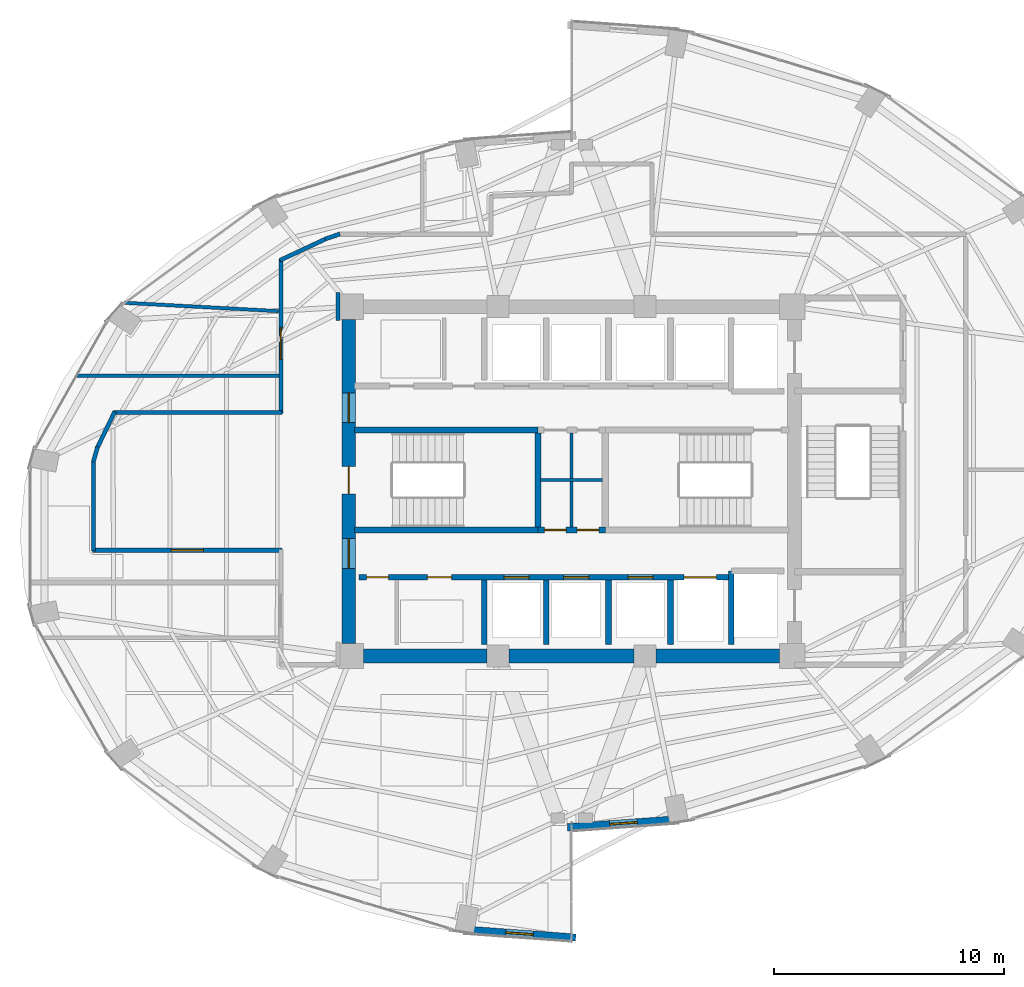
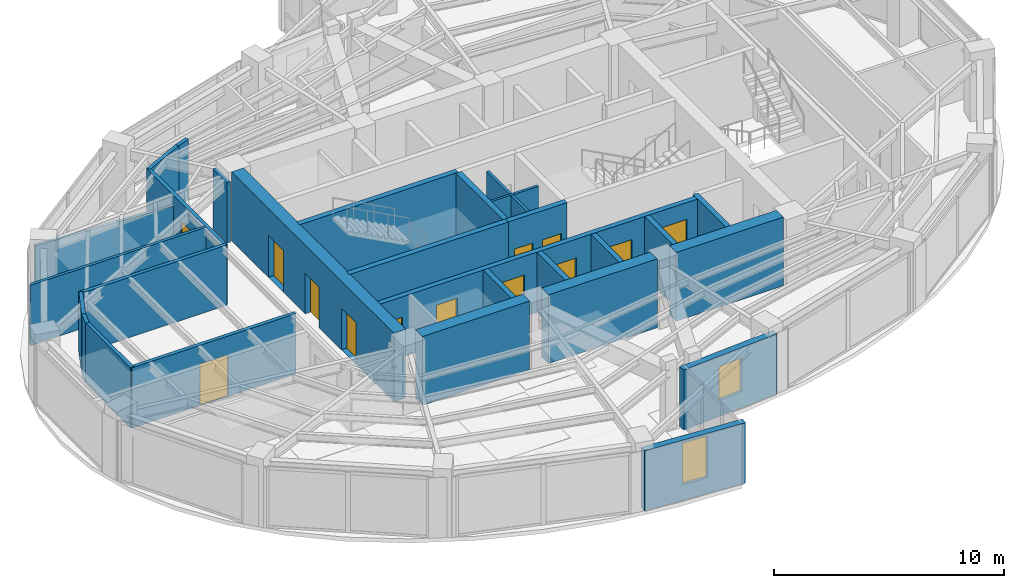
# One storey, part 16 of 20: 29 walls, 13 doors, 2 windows, 15 openings.
"""IFC4 building model written with IfcOpenShell, lengths in metres."""

from ifc_helpers import new_model, si_unit, direction, frame, frame_2d, origin, place, context, subcontext, project, spatial, rectangle, extrude, material, layer, layer_set, type_object, element, fill, save


model = new_model("IFC4")

# Units and contexts
model_context = context("Model", 3, precision=1e-05, world=origin(), true_north=direction((0.0, 1.0)))
body_context = subcontext(model_context, "Body", "Model", "MODEL_VIEW")
ifc_project = project(units=[si_unit("LENGTHUNIT", "METRE"), si_unit("AREAUNIT", "SQUARE_METRE"), si_unit("VOLUMEUNIT", "CUBIC_METRE"), si_unit("PLANEANGLEUNIT", "RADIAN"), si_unit("MASSUNIT", "GRAM", prefix="KILO")], contexts=[model_context])

# Site, building, storey
site_placement = place(None, origin())
site = spatial("IfcSite", under=ifc_project, at=site_placement, CompositionType="ELEMENT")
building_placement = place(site_placement, origin())
building = spatial("IfcBuilding", under=site, at=building_placement, Name="Lazwardi Medical Tower", CompositionType="ELEMENT")
storey_placement = place(building_placement, frame((0.0, 0.0, 185.7119140625)))
storey = spatial("IfcBuildingStorey", under=building, at=storey_placement, Name="L48", CompositionType="ELEMENT", Elevation=185.7119140625)

# Walls
ifc_material_1 = material(Name="Fire-rated gypsum board on steel stud", Category="steel")
ifc_layer_1 = layer(ifc_material_1, 0.179931640625)
ifc_layer_set_1 = layer_set([ifc_layer_1], Name="Fire-rated gypsum board on steel stud")
wall_type_1 = type_object("IfcWallType", Name="WL-COR-180", PredefinedType="PARTITIONING", material=ifc_layer_set_1)
wall_1_placement = place(storey_placement, frame((15.350341796875, 29.435791015625, 0.0), z_axis=(0.0, 0.0, 1.0), x_axis=(0.436196025907, 0.899851669434, 0.0)))
element("IfcWall", 1, at=wall_1_placement, inside=storey, type_object=wall_type_1, Name="L48 Corridor partition 1", PredefinedType="PARTITIONING", context=body_context, shape_type="SweptSolid", body=[
    extrude(rectangle(XDim=1.778076171875, YDim=0.179931640625, at=frame_2d((0.88916015625, 0.0))), origin(), (0.0, 0.0, 1.0), 3.197998046875),
])
wall_2_placement = place(storey_placement, frame((16.068359375, 31.0, 0.0), z_axis=(0.0, 0.0, 1.0), x_axis=(1.0, 0.0, 0.0)))
element("IfcWall", 2, at=wall_2_placement, inside=storey, type_object=wall_type_1, Name="L48 Corridor partition 2", PredefinedType="PARTITIONING", context=body_context, shape_type="SweptSolid", body=[
    extrude(rectangle(XDim=7.321533203125, YDim=0.179931640625, at=frame_2d((3.66064453125, 0.0))), origin(), (0.0, 0.0, 1.0), 3.197998046875),
])

# Wall, opening, door
wall_3_placement = place(storey_placement, frame((23.35009765625, 30.9599609375, 0.0), z_axis=(0.0, 0.0, 1.0), x_axis=(0.0, 1.0, 0.0)))
wall_3 = element("IfcWall", 3, at=wall_3_placement, inside=storey, type_object=wall_type_1, Name="L48 Corridor partition 3", PredefinedType="PARTITIONING", context=body_context, shape_type="SweptSolid", body=[
    extrude(rectangle(XDim=6.7138671875, YDim=0.179931640625, at=frame_2d((3.35693359375, 0.0))), origin(), (0.0, 0.0, 1.0), 3.197998046875),
])
opening_1_placement = place(wall_3_placement, frame((2.34228515625, 0.0, 0.0)))
opening_1 = element("IfcOpeningElement", 4, at=opening_1_placement, cuts=wall_3, Name="Opening D-L48-017", PredefinedType="OPENING", context=body_context, shape_type="SweptSolid", body=[
    extrude(rectangle(XDim=1.39990234375, YDim=2.199951171875, at=frame_2d((0.699951171875, 1.10009765625))), frame((0.0, 0.099853515625, 0.0), z_axis=(0.0, -1.0, 0.0), x_axis=(1.0, 0.0, 0.0)), (0.0, 0.0, 1.0), 0.199951171875),
])
ifc_material_2 = material(Name="Anti-microbial laminate hospital leaf")
door_type_1 = type_object("IfcDoorType", Name="DR-BED-1400", OperationType="NOTDEFINED", PredefinedType="DOOR", material=ifc_material_2)
door_1_placement = place(opening_1_placement, origin())
door_1 = element("IfcDoor", 5, at=door_1_placement, inside=storey, type_object=door_type_1, Name="L48 Department Reception Foyer Door 05", OperationType="SINGLE_SWING_LEFT", OverallHeight=2.199951171875, OverallWidth=1.39990234375, PredefinedType="DOOR", context=body_context, shape_type="SweptSolid", body=[
    extrude(rectangle(XDim=1.39990234375, YDim=2.199951171875, at=frame_2d((0.699951171875, 1.10009765625))), frame((0.0, 0.02490234375, 0.0), z_axis=(0.0, -1.0, 0.0), x_axis=(1.0, 0.0, 0.0)), (0.0, 0.0, 1.0), 0.050048828125),
])
fill(opening_1, door_1)

# Walls
wall_4_placement = place(storey_placement, frame((23.313720703125, 37.616943359375, 0.0), z_axis=(0.0, 0.0, 1.0), x_axis=(0.905731790856, 0.423851298255, 0.0)))
element("IfcWall", 6, at=wall_4_placement, inside=storey, type_object=wall_type_1, Name="L48 Corridor partition 4", PredefinedType="PARTITIONING", context=body_context, shape_type="SweptSolid", body=[
    extrude(rectangle(XDim=2.255126953125, YDim=0.179931640625, at=frame_2d((1.12744140625, 0.0))), origin(), (0.0, 0.0, 1.0), 3.197998046875),
])
wall_5_placement = place(storey_placement, frame((25.2822265625, 38.54248046875, 0.0), z_axis=(0.0, 0.0, 1.0), x_axis=(0.94508059942, 0.326837361085, 0.0)))
element("IfcWall", 7, at=wall_5_placement, inside=storey, type_object=wall_type_1, Name="L48 Corridor partition 5", PredefinedType="PARTITIONING", context=body_context, shape_type="SweptSolid", body=[
    extrude(rectangle(XDim=0.67529296875, YDim=0.179931640625, at=frame_2d((0.337646484375, 0.0))), origin(), (0.0, 0.0, 1.0), 3.197998046875),
])
wall_6_placement = place(storey_placement, frame((25.830078125, 36.2099609375, 0.0), z_axis=(0.0, 0.0, 1.0), x_axis=(0.0, -1.0, 0.0)))
element("IfcWall", 8, at=wall_6_placement, inside=storey, type_object=wall_type_1, Name="L48 Corridor partition 15", PredefinedType="PARTITIONING", context=body_context, shape_type="SweptSolid", body=[
    extrude(rectangle(XDim=1.219970703125, YDim=0.179931640625, at=frame_2d((0.60986328125, 0.0))), origin(), (0.0, 0.0, 1.0), 3.197998046875),
])

# Wall, opening, door
wall_7_placement = place(storey_placement, frame((23.389892578125, 25.0, 0.0), z_axis=(0.0, 0.0, 1.0), x_axis=(-1.0, 0.0, 0.0)))
wall_7 = element("IfcWall", 9, at=wall_7_placement, inside=storey, type_object=wall_type_1, Name="L48 Corridor partition 19", PredefinedType="PARTITIONING", context=body_context, shape_type="SweptSolid", body=[
    extrude(rectangle(XDim=8.22998046875, YDim=0.179931640625, at=frame_2d((4.114990234375, 0.0))), origin(), (0.0, 0.0, 1.0), 3.197998046875),
])
opening_2_placement = place(wall_7_placement, frame((3.4150390625, 0.0, 0.0)))
opening_2 = element("IfcOpeningElement", 10, at=opening_2_placement, cuts=wall_7, Name="Opening D-L48-018", PredefinedType="OPENING", context=body_context, shape_type="SweptSolid", body=[
    extrude(rectangle(XDim=1.39990234375, YDim=2.199951171875, at=frame_2d((0.699951171875, 1.10009765625))), frame((0.0, 0.099853515625, 0.0), z_axis=(0.0, -1.0, 0.0), x_axis=(1.0, 0.0, 0.0)), (0.0, 0.0, 1.0), 0.199951171875),
])
door_2_placement = place(opening_2_placement, origin())
door_2 = element("IfcDoor", 11, at=door_2_placement, inside=storey, type_object=door_type_1, Name="L48 Department Reception Foyer Door 06", OperationType="SINGLE_SWING_RIGHT", OverallHeight=2.199951171875, OverallWidth=1.39990234375, PredefinedType="DOOR", context=body_context, shape_type="SweptSolid", body=[
    extrude(rectangle(XDim=1.39990234375, YDim=2.199951171875, at=frame_2d((0.699951171875, 1.10009765625))), frame((0.0, 0.02490234375, 0.0), z_axis=(0.0, -1.0, 0.0), x_axis=(1.0, 0.0, 0.0)), (0.0, 0.0, 1.0), 0.050048828125),
])
fill(opening_2, door_2)

# Walls
wall_8_placement = place(storey_placement, frame((15.199951171875, 24.9599609375, 0.0), z_axis=(0.0, 0.0, 1.0), x_axis=(0.0, 1.0, 0.0)))
element("IfcWall", 12, at=wall_8_placement, inside=storey, type_object=wall_type_1, Name="L48 Corridor partition 20", PredefinedType="PARTITIONING", context=body_context, shape_type="SweptSolid", body=[
    extrude(rectangle(XDim=3.961181640625, YDim=0.179931640625, at=frame_2d((1.98046875, 0.0))), origin(), (0.0, 0.0, 1.0), 3.197998046875),
])
wall_9_placement = place(storey_placement, frame((15.189208984375, 28.842529296875, 0.0), z_axis=(0.0, 0.0, 1.0), x_axis=(0.272862960331, 0.962052911684, 0.0)))
element("IfcWall", 13, at=wall_9_placement, inside=storey, type_object=wall_type_1, Name="L48 Corridor partition 21", PredefinedType="PARTITIONING", context=body_context, shape_type="SweptSolid", body=[
    extrude(rectangle(XDim=0.6943359375, YDim=0.179931640625, at=frame_2d((0.34716796875, 0.0))), origin(), (0.0, 0.0, 1.0), 3.197998046875),
])

# Wall, openings, doors
ifc_material_3 = material(Name="Concrete C60/75", Category="concrete")
ifc_layer_2 = layer(ifc_material_3, 0.60009765625)
ifc_layer_set_2 = layer_set([ifc_layer_2], Name="Concrete C60/75")
wall_type_2 = type_object("IfcWallType", Name="WL-CORE-600", PredefinedType="SHEAR", material=ifc_layer_set_2)
wall_10_placement = place(storey_placement, frame((26.300048828125, 20.949951171875, 0.0), z_axis=(0.0, 0.0, 1.0), x_axis=(0.0, 1.0, 0.0)))
wall_10 = element("IfcWall", 14, at=wall_10_placement, inside=storey, type_object=wall_type_2, Name="Core wall CW-S3 west L48", PredefinedType="SHEAR", context=body_context, shape_type="SweptSolid", body=[
    extrude(rectangle(XDim=14.10009765625, YDim=0.60009765625, at=frame_2d((7.050048828125, 0.0))), origin(), (0.0, 0.0, 1.0), 3.648193359375),
])
opening_3_placement = place(wall_10_placement, frame((6.5, 0.0, 0.0)))
opening_3 = element("IfcOpeningElement", 15, at=opening_3_placement, cuts=wall_10, Name="Opening D-L48-019", PredefinedType="OPENING", context=body_context, shape_type="SweptSolid", body=[
    extrude(rectangle(XDim=1.199951171875, YDim=2.14990234375, at=frame_2d((0.60009765625, 1.074951171875))), frame((0.0, 0.31005859375, 0.0), z_axis=(0.0, -1.0, 0.0), x_axis=(1.0, 0.0, 0.0)), (0.0, 0.0, 1.0), 0.6201171875),
])
opening_4_placement = place(wall_10_placement, frame((9.60009765625, 0.0, 0.0)))
opening_4 = element("IfcOpeningElement", 16, at=opening_4_placement, cuts=wall_10, Name="Opening D-L48-011", PredefinedType="OPENING", context=body_context, shape_type="SweptSolid", body=[
    extrude(rectangle(XDim=1.300048828125, YDim=2.199951171875, at=frame_2d((0.64990234375, 1.10009765625))), frame((0.0, 0.31005859375, 0.0), z_axis=(0.0, -1.0, 0.0), x_axis=(1.0, 0.0, 0.0)), (0.0, 0.0, 1.0), 0.6201171875),
])
opening_5_placement = place(wall_10_placement, frame((3.260009765625, 0.0, 0.0)))
opening_5 = element("IfcOpeningElement", 17, at=opening_5_placement, cuts=wall_10, Name="Opening D-L48-012", PredefinedType="OPENING", context=body_context, shape_type="SweptSolid", body=[
    extrude(rectangle(XDim=1.300048828125, YDim=2.199951171875, at=frame_2d((0.64990234375, 1.10009765625))), frame((0.0, 0.31005859375, 0.0), z_axis=(0.0, -1.0, 0.0), x_axis=(1.0, 0.0, 0.0)), (0.0, 0.0, 1.0), 0.6201171875),
])
ifc_material_4 = material(Name="Fire-rated steel leaf and frame", Category="steel")
door_type_2 = type_object("IfcDoorType", Name="DR-FFL-1300", OperationType="NOTDEFINED", PredefinedType="DOOR", material=ifc_material_4)
door_3_placement = place(opening_4_placement, origin())
door_3 = element("IfcDoor", 18, at=door_3_placement, inside=storey, type_object=door_type_2, Name="L48 North Lift Lobby Door", OperationType="SINGLE_SWING_RIGHT", OverallHeight=2.199951171875, OverallWidth=1.300048828125, PredefinedType="DOOR", context=body_context, shape_type="SweptSolid", body=[
    extrude(rectangle(XDim=1.300048828125, YDim=2.199951171875, at=frame_2d((0.64990234375, 1.10009765625))), frame((0.0, 0.02490234375, 0.0), z_axis=(0.0, -1.0, 0.0), x_axis=(1.0, 0.0, 0.0)), (0.0, 0.0, 1.0), 0.050048828125),
])
fill(opening_4, door_3)
door_4_placement = place(opening_5_placement, origin())
door_4 = element("IfcDoor", 19, at=door_4_placement, inside=storey, type_object=door_type_2, Name="L48 South Lift Lobby Door", OperationType="SINGLE_SWING_LEFT", OverallHeight=2.199951171875, OverallWidth=1.300048828125, PredefinedType="DOOR", context=body_context, shape_type="SweptSolid", body=[
    extrude(rectangle(XDim=1.300048828125, YDim=2.199951171875, at=frame_2d((0.64990234375, 1.10009765625))), frame((0.0, 0.02490234375, 0.0), z_axis=(0.0, -1.0, 0.0), x_axis=(1.0, 0.0, 0.0)), (0.0, 0.0, 1.0), 0.050048828125),
])
fill(opening_5, door_4)
door_type_3 = type_object("IfcDoorType", Name="DR-STR-1200", OperationType="NOTDEFINED", PredefinedType="DOOR", material=ifc_material_4)
door_5_placement = place(opening_3_placement, origin())
door_5 = element("IfcDoor", 20, at=door_5_placement, inside=storey, type_object=door_type_3, Name="L48 Exit Stair ST1 Door", OperationType="SINGLE_SWING_RIGHT", OverallHeight=2.14990234375, OverallWidth=1.199951171875, PredefinedType="DOOR", context=body_context, shape_type="SweptSolid", body=[
    extrude(rectangle(XDim=1.199951171875, YDim=2.14990234375, at=frame_2d((0.60009765625, 1.074951171875))), frame((0.0, 0.02490234375, 0.0), z_axis=(0.0, -1.0, 0.0), x_axis=(1.0, 0.0, 0.0)), (0.0, 0.0, 1.0), 0.050048828125),
])
fill(opening_3, door_5)

# Walls
wall_11_placement = place(storey_placement, frame((26.949951171875, 20.39990234375, 0.0), z_axis=(0.0, 0.0, 1.0), x_axis=(1.0, 0.0, 0.0)))
element("IfcWall", 21, at=wall_11_placement, inside=storey, type_object=wall_type_2, Name="Core wall CW-S3 S1 L48", PredefinedType="SHEAR", context=body_context, shape_type="SweptSolid", body=[
    extrude(rectangle(XDim=5.375, YDim=0.60009765625, at=frame_2d((2.6875, 0.0))), origin(), (0.0, 0.0, 1.0), 3.648193359375),
])
wall_12_placement = place(storey_placement, frame((33.27490234375, 20.39990234375, 0.0), z_axis=(0.0, 0.0, 1.0), x_axis=(1.0, 0.0, 0.0)))
element("IfcWall", 22, at=wall_12_placement, inside=storey, type_object=wall_type_2, Name="Core wall CW-S3 S2 L48", PredefinedType="SHEAR", context=body_context, shape_type="SweptSolid", body=[
    extrude(rectangle(XDim=5.4501953125, YDim=0.60009765625, at=frame_2d((2.72509765625, 0.0))), origin(), (0.0, 0.0, 1.0), 3.648193359375),
])
wall_13_placement = place(storey_placement, frame((39.675048828125, 20.39990234375, 0.0), z_axis=(0.0, 0.0, 1.0), x_axis=(1.0, 0.0, 0.0)))
element("IfcWall", 23, at=wall_13_placement, inside=storey, type_object=wall_type_2, Name="Core wall CW-S3 S3 L48", PredefinedType="SHEAR", context=body_context, shape_type="SweptSolid", body=[
    extrude(rectangle(XDim=5.375, YDim=0.60009765625, at=frame_2d((2.6875, 0.0))), origin(), (0.0, 0.0, 1.0), 3.648193359375),
])
ifc_material_5 = material(Name="Moisture-resistant gypsum board partition")
ifc_layer_3 = layer(ifc_material_5, 0.125)
ifc_layer_set_3 = layer_set([ifc_layer_3], Name="Moisture-resistant gypsum board partition")
wall_type_3 = type_object("IfcWallType", Name="WL-ENS-125", PredefinedType="PARTITIONING", material=ifc_layer_set_3)
wall_14_placement = place(storey_placement, frame((34.64990234375, 28.06005859375, 0.0), z_axis=(0.0, 0.0, 1.0), x_axis=(1.0, 0.0, 0.0)))
element("IfcWall", 24, at=wall_14_placement, inside=storey, type_object=wall_type_3, Name="L48 Core 4-way H divider", PredefinedType="PARTITIONING", context=body_context, shape_type="SweptSolid", body=[
    extrude(rectangle(XDim=2.7001953125, YDim=0.125, at=frame_2d((1.35009765625, 0.0))), origin(), (0.0, 0.0, 1.0), 3.197998046875),
])
wall_15_placement = place(storey_placement, frame((36.0, 26.02001953125, 0.0), z_axis=(0.0, 0.0, 1.0), x_axis=(0.0, 1.0, 0.0)))
element("IfcWall", 25, at=wall_15_placement, inside=storey, type_object=wall_type_3, Name="L48 Core 4-way V divider", PredefinedType="PARTITIONING", context=body_context, shape_type="SweptSolid", body=[
    extrude(rectangle(XDim=4.080078125, YDim=0.125, at=frame_2d((2.0400390625, 0.0))), origin(), (0.0, 0.0, 1.0), 3.197998046875),
])

# Wall, opening, window
ifc_material_6 = material(Name="Precast concrete C45/55", Category="concrete")
ifc_layer_4 = layer(ifc_material_6, 0.320068359375)
ifc_layer_set_4 = layer_set([ifc_layer_4], Name="Precast concrete C45/55")
wall_type_4 = type_object("IfcWallType", Name="WL-IWAN-320", PredefinedType="SOLIDWALL", material=ifc_layer_set_4)
wall_16_placement = place(storey_placement, frame((35.820556640625, 12.947021484375, 0.0), z_axis=(0.0, 0.0, 1.0), x_axis=(0.997415460462, 0.071849838072, 0.0)))
wall_16 = element("IfcWall", 26, at=wall_16_placement, inside=storey, type_object=wall_type_4, Name="L48 Iwan Portal Return Wall SE_ret", PredefinedType="SOLIDWALL", context=body_context, shape_type="SweptSolid", body=[
    extrude(rectangle(XDim=4.89306640625, YDim=0.320068359375, at=frame_2d((2.446533203125, 0.0))), origin(), (0.0, 0.0, 1.0), 3.197998046875),
])
opening_6_placement = place(wall_16_placement, frame((1.846435546875, 0.0, 0.85009765625)))
opening_6 = element("IfcOpeningElement", 27, at=opening_6_placement, cuts=wall_16, Name="Opening WN-04", PredefinedType="OPENING", context=body_context, shape_type="SweptSolid", body=[
    extrude(rectangle(XDim=1.199951171875, YDim=1.800048828125, at=frame_2d((0.60009765625, 0.89990234375))), frame((0.0, 0.169921875, 0.0), z_axis=(0.0, -1.0, 0.0), x_axis=(1.0, 0.0, 0.0)), (0.0, 0.0, 1.0), 0.340087890625),
])
ifc_material_7 = material(Name="Low-e bronze solar control double glazing", Category="glass")
window_type_1 = type_object("IfcWindowType", Name="WIN-DRUM-1200", PartitioningType="SINGLE_PANEL", PredefinedType="WINDOW", material=ifc_material_7)
window_1_placement = place(opening_6_placement, origin())
window_1 = element("IfcWindow", 28, at=window_1_placement, inside=storey, type_object=window_type_1, Name="L48 Iwan Slot Window SE_ret", OverallHeight=1.800048828125, OverallWidth=1.199951171875, PartitioningType="SINGLE_PANEL", PredefinedType="WINDOW", context=body_context, shape_type="SweptSolid", body=[
    extrude(rectangle(XDim=1.199951171875, YDim=1.800048828125, at=frame_2d((0.60009765625, 0.89990234375))), frame((0.0, 0.030029296875, 0.0), z_axis=(0.0, -1.0, 0.0), x_axis=(1.0, 0.0, 0.0)), (0.0, 0.0, 1.0), 0.06005859375),
])
fill(opening_6, window_1)

wall_17_placement = place(storey_placement, frame((31.299072265625, 8.498779296875, 0.0), z_axis=(0.0, 0.0, 1.0), x_axis=(0.997415202861, -0.071853413984, 0.0)))
wall_17 = element("IfcWall", 29, at=wall_17_placement, inside=storey, type_object=wall_type_4, Name="L48 Iwan Portal Return Wall SW_ret", PredefinedType="SOLIDWALL", context=body_context, shape_type="SweptSolid", body=[
    extrude(rectangle(XDim=4.892822265625, YDim=0.320068359375, at=frame_2d((2.4462890625, 0.0))), origin(), (0.0, 0.0, 1.0), 3.197998046875),
])
opening_7_placement = place(wall_17_placement, frame((1.84619140625, 0.0, 0.85009765625)))
opening_7 = element("IfcOpeningElement", 30, at=opening_7_placement, cuts=wall_17, Name="Opening WN-01", PredefinedType="OPENING", context=body_context, shape_type="SweptSolid", body=[
    extrude(rectangle(XDim=1.199951171875, YDim=2.199951171875, at=frame_2d((0.60009765625, 1.10009765625))), frame((0.0, 0.169921875, 0.0), z_axis=(0.0, -1.0, 0.0), x_axis=(1.0, 0.0, 0.0)), (0.0, 0.0, 1.0), 0.340087890625),
])
window_type_2 = type_object("IfcWindowType", Name="WIN-IW-1200", PartitioningType="SINGLE_PANEL", PredefinedType="WINDOW", material=ifc_material_7)
window_2_placement = place(opening_7_placement, origin())
window_2 = element("IfcWindow", 31, at=window_2_placement, inside=storey, type_object=window_type_2, Name="L48 Iwan Slot Window SW_ret", OverallHeight=2.199951171875, OverallWidth=1.199951171875, PartitioningType="SINGLE_PANEL", PredefinedType="WINDOW", context=body_context, shape_type="SweptSolid", body=[
    extrude(rectangle(XDim=1.199951171875, YDim=2.199951171875, at=frame_2d((0.60009765625, 1.10009765625))), frame((0.0, 0.030029296875, 0.0), z_axis=(0.0, -1.0, 0.0), x_axis=(1.0, 0.0, 0.0)), (0.0, 0.0, 1.0), 0.06005859375),
])
fill(opening_7, window_2)

# Wall, openings, doors
ifc_material_8 = material(Name="Autoclaved aerated concrete blockwork", Category="masonry")
ifc_layer_5 = layer(ifc_material_8, 0.25)
ifc_layer_set_5 = layer_set([ifc_layer_5], Name="Autoclaved aerated concrete blockwork")
wall_type_5 = type_object("IfcWallType", Name="WL-SHAFT-250", PredefinedType="SOLIDWALL", material=ifc_layer_set_5)
wall_18_placement = place(storey_placement, frame((26.75, 23.830078125, 0.0), z_axis=(0.0, 0.0, 1.0), x_axis=(1.0, 0.0, 0.0)))
wall_18 = element("IfcWall", 32, at=wall_18_placement, inside=storey, type_object=wall_type_5, Name="L48 South lift bank front wall", PredefinedType="SOLIDWALL", context=body_context, shape_type="SweptSolid", body=[
    extrude(rectangle(XDim=16.199951171875, YDim=0.25, at=frame_2d((8.10009765625, 0.0))), origin(), (0.0, 0.0, 1.0), 3.197998046875),
])
opening_8_placement = place(wall_18_placement, frame((0.3349609375, 0.0, 0.0)))
opening_8 = element("IfcOpeningElement", 33, at=opening_8_placement, cuts=wall_18, Name="Opening D-L48-007", PredefinedType="OPENING", context=body_context, shape_type="SweptSolid", body=[
    extrude(rectangle(XDim=0.949951171875, YDim=2.10009765625, at=frame_2d((0.47509765625, 1.050048828125))), frame((0.0, 0.135009765625, 0.0), z_axis=(0.0, -1.0, 0.0), x_axis=(1.0, 0.0, 0.0)), (0.0, 0.0, 1.0), 0.27001953125),
])
opening_9_placement = place(wall_18_placement, frame((2.97509765625, 0.0, 0.0)))
opening_9 = element("IfcOpeningElement", 34, at=opening_9_placement, cuts=wall_18, Name="Opening D-L48-008", PredefinedType="OPENING", context=body_context, shape_type="SweptSolid", body=[
    extrude(rectangle(XDim=1.050048828125, YDim=2.14990234375, at=frame_2d((0.52490234375, 1.074951171875))), frame((0.0, 0.135009765625, 0.0), z_axis=(0.0, -1.0, 0.0), x_axis=(1.0, 0.0, 0.0)), (0.0, 0.0, 1.0), 0.27001953125),
])
opening_10_placement = place(wall_18_placement, frame((6.300048828125, 0.0, 0.0)))
opening_10 = element("IfcOpeningElement", 35, at=opening_10_placement, cuts=wall_18, Name="Opening LD-L48-006", PredefinedType="OPENING", context=body_context, shape_type="SweptSolid", body=[
    extrude(rectangle(XDim=1.10009765625, YDim=2.199951171875, at=frame_2d((0.550048828125, 1.10009765625))), frame((0.0, 0.135009765625, 0.0), z_axis=(0.0, -1.0, 0.0), x_axis=(1.0, 0.0, 0.0)), (0.0, 0.0, 1.0), 0.27001953125),
])
opening_11_placement = place(wall_18_placement, frame((8.89990234375, 0.0, 0.0)))
opening_11 = element("IfcOpeningElement", 36, at=opening_11_placement, cuts=wall_18, Name="Opening LD-L48-007", PredefinedType="OPENING", context=body_context, shape_type="SweptSolid", body=[
    extrude(rectangle(XDim=1.10009765625, YDim=2.199951171875, at=frame_2d((0.550048828125, 1.10009765625))), frame((0.0, 0.135009765625, 0.0), z_axis=(0.0, -1.0, 0.0), x_axis=(1.0, 0.0, 0.0)), (0.0, 0.0, 1.0), 0.27001953125),
])
opening_12_placement = place(wall_18_placement, frame((11.699951171875, 0.0, 0.0)))
opening_12 = element("IfcOpeningElement", 37, at=opening_12_placement, cuts=wall_18, Name="Opening LD-L48-010", PredefinedType="OPENING", context=body_context, shape_type="SweptSolid", body=[
    extrude(rectangle(XDim=1.10009765625, YDim=2.199951171875, at=frame_2d((0.550048828125, 1.10009765625))), frame((0.0, 0.135009765625, 0.0), z_axis=(0.0, -1.0, 0.0), x_axis=(1.0, 0.0, 0.0)), (0.0, 0.0, 1.0), 0.27001953125),
])
opening_13_placement = place(wall_18_placement, frame((14.14990234375, 0.0, 0.0)))
opening_13 = element("IfcOpeningElement", 38, at=opening_13_placement, cuts=wall_18, Name="Opening LD-L48-003", PredefinedType="OPENING", context=body_context, shape_type="SweptSolid", body=[
    extrude(rectangle(XDim=1.39990234375, YDim=2.300048828125, at=frame_2d((0.699951171875, 1.14990234375))), frame((0.0, 0.135009765625, 0.0), z_axis=(0.0, -1.0, 0.0), x_axis=(1.0, 0.0, 0.0)), (0.0, 0.0, 1.0), 0.27001953125),
])
door_type_4 = type_object("IfcDoorType", Name="DR-CLN-1050", OperationType="NOTDEFINED", PredefinedType="DOOR", material=ifc_material_2)
door_6_placement = place(opening_9_placement, origin())
door_6 = element("IfcDoor", 39, at=door_6_placement, inside=storey, type_object=door_type_4, Name="L48 Medication Door", OperationType="SINGLE_SWING_LEFT", OverallHeight=2.14990234375, OverallWidth=1.050048828125, PredefinedType="DOOR", context=body_context, shape_type="SweptSolid", body=[
    extrude(rectangle(XDim=1.050048828125, YDim=2.14990234375, at=frame_2d((0.52490234375, 1.074951171875))), frame((0.0, 0.02490234375, 0.0), z_axis=(0.0, -1.0, 0.0), x_axis=(1.0, 0.0, 0.0)), (0.0, 0.0, 1.0), 0.050048828125),
])
fill(opening_9, door_6)
ifc_material_9 = material(Name="Moisture-resistant laminate door leaf")
door_type_5 = type_object("IfcDoorType", Name="DR-ENS-950", OperationType="NOTDEFINED", PredefinedType="DOOR", material=ifc_material_9)
door_7_placement = place(opening_8_placement, origin())
door_7 = element("IfcDoor", 40, at=door_7_placement, inside=storey, type_object=door_type_5, Name="L48 Utility Door", OperationType="SINGLE_SWING_RIGHT", OverallHeight=2.10009765625, OverallWidth=0.949951171875, PredefinedType="DOOR", context=body_context, shape_type="SweptSolid", body=[
    extrude(rectangle(XDim=0.949951171875, YDim=2.10009765625, at=frame_2d((0.47509765625, 1.050048828125))), frame((0.0, 0.02490234375, 0.0), z_axis=(0.0, -1.0, 0.0), x_axis=(1.0, 0.0, 0.0)), (0.0, 0.0, 1.0), 0.050048828125),
])
fill(opening_8, door_7)
ifc_material_10 = material(Name="Brushed bronze stainless steel landing door", Category="steel")
door_type_6 = type_object("IfcDoorType", Name="DR-LFT-1100", OperationType="NOTDEFINED", PredefinedType="DOOR", material=ifc_material_10)
door_8_placement = place(opening_10_placement, origin())
door_8 = element("IfcDoor", 41, at=door_8_placement, inside=storey, type_object=door_type_6, Name="L48 Lift Landing Door PL-07", OperationType="SLIDING_TO_LEFT", OverallHeight=2.199951171875, OverallWidth=1.10009765625, PredefinedType="DOOR", context=body_context, shape_type="SweptSolid", body=[
    extrude(rectangle(XDim=1.10009765625, YDim=2.199951171875, at=frame_2d((0.550048828125, 1.10009765625))), frame((0.0, 0.02490234375, 0.0), z_axis=(0.0, -1.0, 0.0), x_axis=(1.0, 0.0, 0.0)), (0.0, 0.0, 1.0), 0.050048828125),
])
fill(opening_10, door_8)
door_9_placement = place(opening_11_placement, origin())
door_9 = element("IfcDoor", 42, at=door_9_placement, inside=storey, type_object=door_type_6, Name="L48 Lift Landing Door PL-08", OperationType="SLIDING_TO_LEFT", OverallHeight=2.199951171875, OverallWidth=1.10009765625, PredefinedType="DOOR", context=body_context, shape_type="SweptSolid", body=[
    extrude(rectangle(XDim=1.10009765625, YDim=2.199951171875, at=frame_2d((0.550048828125, 1.10009765625))), frame((0.0, 0.02490234375, 0.0), z_axis=(0.0, -1.0, 0.0), x_axis=(1.0, 0.0, 0.0)), (0.0, 0.0, 1.0), 0.050048828125),
])
fill(opening_11, door_9)
door_10_placement = place(opening_12_placement, origin())
door_10 = element("IfcDoor", 43, at=door_10_placement, inside=storey, type_object=door_type_6, Name="L48 Lift Landing Door PL-11", OperationType="SLIDING_TO_LEFT", OverallHeight=2.199951171875, OverallWidth=1.10009765625, PredefinedType="DOOR", context=body_context, shape_type="SweptSolid", body=[
    extrude(rectangle(XDim=1.10009765625, YDim=2.199951171875, at=frame_2d((0.550048828125, 1.10009765625))), frame((0.0, 0.02490234375, 0.0), z_axis=(0.0, -1.0, 0.0), x_axis=(1.0, 0.0, 0.0)), (0.0, 0.0, 1.0), 0.050048828125),
])
fill(opening_12, door_10)
ifc_material_11 = material(Name="Brushed stainless steel bed-lift landing door", Category="steel")
door_type_7 = type_object("IfcDoorType", Name="DR-LFT-1400", OperationType="NOTDEFINED", PredefinedType="DOOR", material=ifc_material_11)
door_11_placement = place(opening_13_placement, origin())
door_11 = element("IfcDoor", 44, at=door_11_placement, inside=storey, type_object=door_type_7, Name="L48 Lift Landing Door FL-03", OperationType="SLIDING_TO_LEFT", OverallHeight=2.300048828125, OverallWidth=1.39990234375, PredefinedType="DOOR", context=body_context, shape_type="SweptSolid", body=[
    extrude(rectangle(XDim=1.39990234375, YDim=2.300048828125, at=frame_2d((0.699951171875, 1.14990234375))), frame((0.0, 0.02490234375, 0.0), z_axis=(0.0, -1.0, 0.0), x_axis=(1.0, 0.0, 0.0)), (0.0, 0.0, 1.0), 0.050048828125),
])
fill(opening_13, door_11)

# Walls
wall_19_placement = place(storey_placement, frame((42.949951171875, 20.89990234375, 0.0), z_axis=(0.0, 0.0, 1.0), x_axis=(0.0, 1.0, 0.0)))
element("IfcWall", 45, at=wall_19_placement, inside=storey, type_object=wall_type_5, Name="L48 FL-02 West shaft wall", PredefinedType="SOLIDWALL", context=body_context, shape_type="SweptSolid", body=[
    extrude(rectangle(XDim=3.2001953125, YDim=0.25, at=frame_2d((1.60009765625, 0.0))), origin(), (0.0, 0.0, 1.0), 3.197998046875),
])
for number, where, z_axis, x_axis, name in (
    (46, (32.199951171875, 20.89990234375, 0.0), (0.0, 0.0, 1.0), (0.0, 1.0, 0.0), "L48 South hoistway divider"),
    (47, (34.89990234375, 20.89990234375, 0.0), (0.0, 0.0, 1.0), (0.0, 1.0, 0.0), "L48 South hoistway divider"),
    (48, (37.60009765625, 20.89990234375, 0.0), (0.0, 0.0, 1.0), (0.0, 1.0, 0.0), "L48 South hoistway divider"),
    (49, (40.300048828125, 20.89990234375, 0.0), (0.0, 0.0, 1.0), (0.0, 1.0, 0.0), "L48 South hoistway divider"),
):
    element("IfcWall", number, at=place(storey_placement, frame(where, z_axis=z_axis, x_axis=x_axis)), inside=storey, type_object=wall_type_5, Name=name, PredefinedType="SOLIDWALL", context=body_context, shape_type="SweptSolid", body=[
        extrude(rectangle(XDim=2.800048828125, YDim=0.25, at=frame_2d((1.39990234375, 0.0))), origin(), (0.0, 0.0, 1.0), 3.197998046875),
    ])
ifc_material_12 = material(Name="Concrete C50/60", Category="concrete")
ifc_layer_6 = layer(ifc_material_12, 0.27001953125)
ifc_layer_set_6 = layer_set([ifc_layer_6], Name="Concrete C50/60")
wall_type_6 = type_object("IfcWallType", Name="WL-STR-250", PredefinedType="SHEAR", material=ifc_layer_set_6)
for number, where, z_axis, x_axis, name in (
    (50, (26.550048828125, 30.235107421875, 0.0), (0.0, 0.0, 1.0), (1.0, 0.0, 0.0), "L48 ST1 North shear shaft wall SW-S1"),
    (51, (26.550048828125, 25.885009765625, 0.0), (0.0, 0.0, 1.0), (1.0, 0.0, 0.0), "L48 ST1 South shear shaft wall SW-S1"),
):
    element("IfcWall", number, at=place(storey_placement, frame(where, z_axis=z_axis, x_axis=x_axis)), inside=storey, type_object=wall_type_6, Name=name, PredefinedType="SHEAR", context=body_context, shape_type="SweptSolid", body=[
        extrude(rectangle(XDim=7.98486328125, YDim=0.27001953125, at=frame_2d((3.992431640625, 0.0))), origin(), (0.0, 0.0, 1.0), 3.648193359375),
    ])

# Wall, openings, doors
wall_20_placement = place(storey_placement, frame((34.534912109375, 25.885009765625, 0.0), z_axis=(0.0, 0.0, 1.0), x_axis=(1.0, 0.0, 0.0)))
wall_20 = element("IfcWall", 52, at=wall_20_placement, inside=storey, type_object=wall_type_6, Name="L48 Core service South shear wall SW-S1", PredefinedType="SHEAR", context=body_context, shape_type="SweptSolid", body=[
    extrude(rectangle(XDim=2.93017578125, YDim=0.27001953125, at=frame_2d((1.465087890625, 0.0))), origin(), (0.0, 0.0, 1.0), 3.648193359375),
])
opening_14_placement = place(wall_20_placement, frame((0.280029296875, 0.0, 0.0)))
opening_14 = element("IfcOpeningElement", 53, at=opening_14_placement, cuts=wall_20, Name="Opening D-L48-001", PredefinedType="OPENING", context=body_context, shape_type="SweptSolid", body=[
    extrude(rectangle(XDim=0.949951171875, YDim=2.10009765625, at=frame_2d((0.47509765625, 1.050048828125))), frame((0.0, 0.14501953125, 0.0), z_axis=(0.0, -1.0, 0.0), x_axis=(1.0, 0.0, 0.0)), (0.0, 0.0, 1.0), 0.2900390625),
])
opening_15_placement = place(wall_20_placement, frame((1.699951171875, 0.0, 0.0)))
opening_15 = element("IfcOpeningElement", 54, at=opening_15_placement, cuts=wall_20, Name="Opening D-L48-002", PredefinedType="OPENING", context=body_context, shape_type="SweptSolid", body=[
    extrude(rectangle(XDim=0.949951171875, YDim=2.10009765625, at=frame_2d((0.47509765625, 1.050048828125))), frame((0.0, 0.14501953125, 0.0), z_axis=(0.0, -1.0, 0.0), x_axis=(1.0, 0.0, 0.0)), (0.0, 0.0, 1.0), 0.2900390625),
])
door_12_placement = place(opening_14_placement, origin())
door_12 = element("IfcDoor", 55, at=door_12_placement, inside=storey, type_object=door_type_5, Name="L48 Staff WC Door", OperationType="SINGLE_SWING_RIGHT", OverallHeight=2.10009765625, OverallWidth=0.949951171875, PredefinedType="DOOR", context=body_context, shape_type="SweptSolid", body=[
    extrude(rectangle(XDim=0.949951171875, YDim=2.10009765625, at=frame_2d((0.47509765625, 1.050048828125))), frame((0.0, 0.02490234375, 0.0), z_axis=(0.0, -1.0, 0.0), x_axis=(1.0, 0.0, 0.0)), (0.0, 0.0, 1.0), 0.050048828125),
])
fill(opening_14, door_12)
door_13_placement = place(opening_15_placement, origin())
door_13 = element("IfcDoor", 56, at=door_13_placement, inside=storey, type_object=door_type_5, Name="L48 Comms Room Door", OperationType="SINGLE_SWING_LEFT", OverallHeight=2.10009765625, OverallWidth=0.949951171875, PredefinedType="DOOR", context=body_context, shape_type="SweptSolid", body=[
    extrude(rectangle(XDim=0.949951171875, YDim=2.10009765625, at=frame_2d((0.47509765625, 1.050048828125))), frame((0.0, 0.02490234375, 0.0), z_axis=(0.0, -1.0, 0.0), x_axis=(1.0, 0.0, 0.0)), (0.0, 0.0, 1.0), 0.050048828125),
])
fill(opening_15, door_13)

# Walls
wall_21_placement = place(storey_placement, frame((34.534912109375, 26.02001953125, 0.0), z_axis=(0.0, 0.0, 1.0), x_axis=(0.0, 1.0, 0.0)))
element("IfcWall", 57, at=wall_21_placement, inside=storey, type_object=wall_type_6, Name="L48 ST1 East shear shaft wall SW-S1", PredefinedType="SHEAR", context=body_context, shape_type="SweptSolid", body=[
    extrude(rectangle(XDim=4.080078125, YDim=0.27001953125, at=frame_2d((2.0400390625, 0.0))), origin(), (0.0, 0.0, 1.0), 3.648193359375),
])
ifc_material_13 = material(Name="Acoustic gypsum board partition")
ifc_layer_7 = layer(ifc_material_13, 0.14990234375)
ifc_layer_set_7 = layer_set([ifc_layer_7], Name="Acoustic gypsum board partition")
wall_type_7 = type_object("IfcWallType", Name="WL-WRD-150", PredefinedType="PARTITIONING", material=ifc_layer_set_7)
wall_22_placement = place(storey_placement, frame((14.46923828125, 32.60009765625, 0.0), z_axis=(0.0, 0.0, 1.0), x_axis=(1.0, 0.0, 0.0)))
element("IfcWall", 58, at=wall_22_placement, inside=storey, type_object=wall_type_7, Name="L48 Room partition 3", PredefinedType="PARTITIONING", context=body_context, shape_type="SweptSolid", body=[
    extrude(rectangle(XDim=8.790771484375, YDim=0.14990234375, at=frame_2d((4.3955078125, 0.0))), origin(), (0.0, 0.0, 1.0), 3.197998046875),
])
wall_23_placement = place(storey_placement, frame((16.554443359375, 35.76806640625, 0.0), z_axis=(0.0, 0.0, 1.0), x_axis=(0.998529801792, -0.054205488039, 0.0)))
element("IfcWall", 59, at=wall_23_placement, inside=storey, type_object=wall_type_7, Name="L48 Room partition 4", PredefinedType="PARTITIONING", context=body_context, shape_type="SweptSolid", body=[
    extrude(rectangle(XDim=6.71533203125, YDim=0.14990234375, at=frame_2d((3.357666015625, 0.0))), origin(), (0.0, 0.0, 1.0), 2.633056640625),
])

save(model, "model.ifc")
